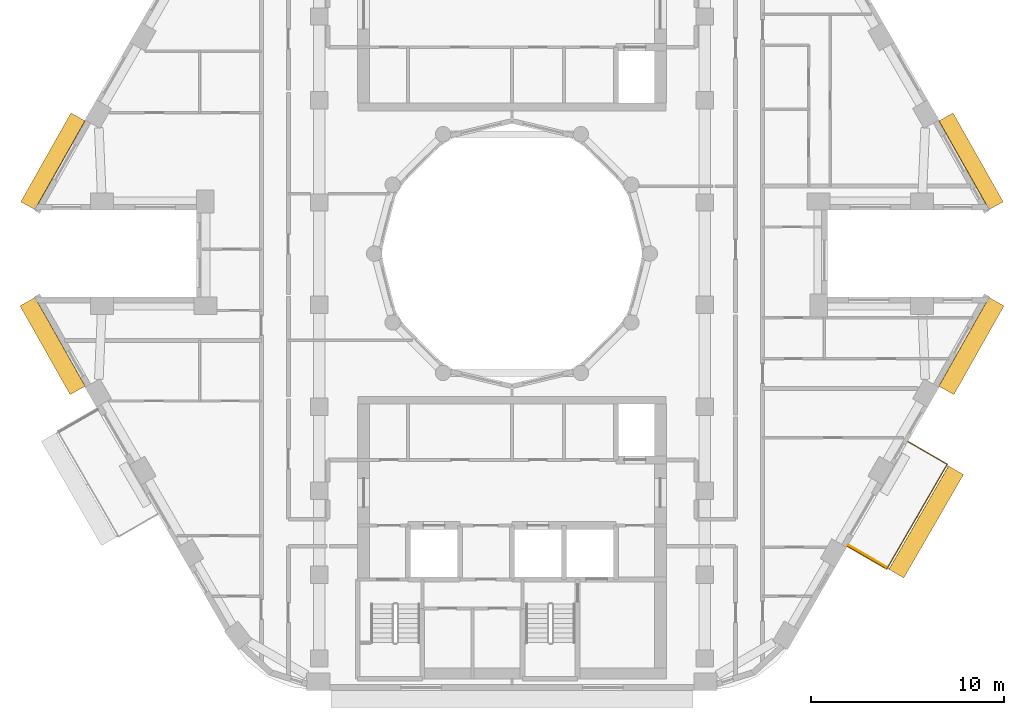
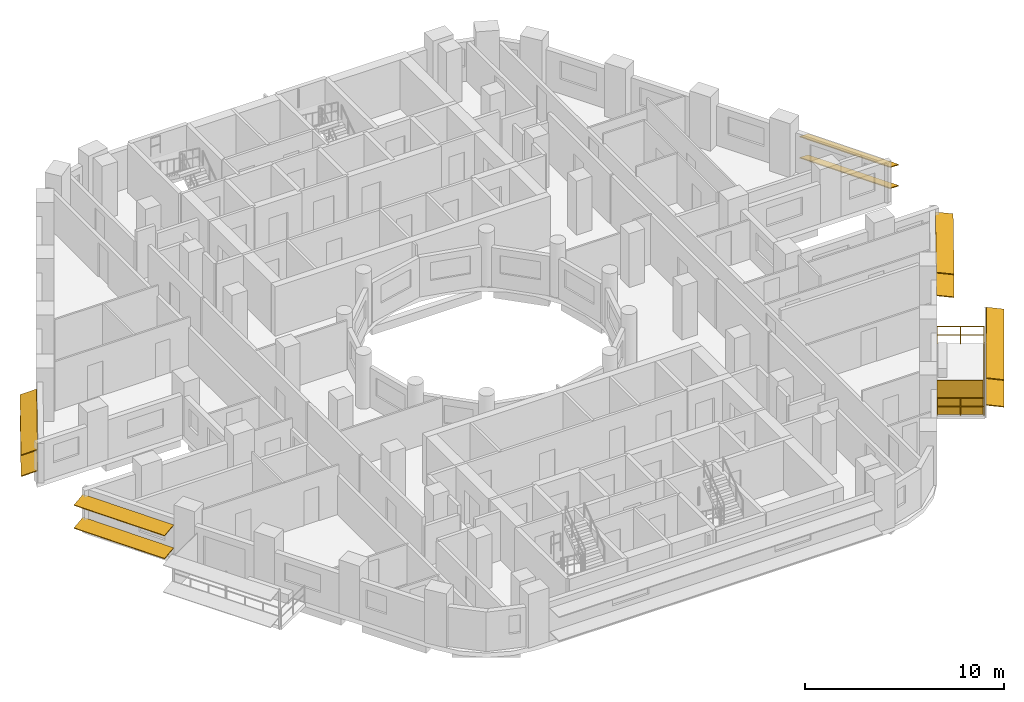
# One storey, part 15 of 16: 11 shading devices, 1 railing.
"""IFC4 building model written with IfcOpenShell, lengths in metres."""

from ifc_helpers import new_model, si_unit, direction, frame, origin, origin_2d, place, context, subcontext, project, spatial, rectangle, circle, extrude, material, layer, layer_set, material_profile, profile_set, type_object, element, save


model = new_model("IFC4")

# Units and contexts
model_context = context("Model", 3, precision=1e-05, world=origin(), true_north=direction((0.0, 1.0)))
body_context = subcontext(model_context, "Body", "Model", "MODEL_VIEW")
ifc_project = project(units=[si_unit("LENGTHUNIT", "METRE"), si_unit("AREAUNIT", "SQUARE_METRE"), si_unit("VOLUMEUNIT", "CUBIC_METRE"), si_unit("PLANEANGLEUNIT", "RADIAN"), si_unit("MASSUNIT", "GRAM", prefix="KILO")], contexts=[model_context])

# Site, building, storey
site_placement = place(None, origin())
site = spatial("IfcSite", under=ifc_project, at=site_placement, CompositionType="ELEMENT")
building_placement = place(site_placement, origin())
building = spatial("IfcBuilding", under=site, at=building_placement, Name="Nakaniwa Court", CompositionType="ELEMENT")
storey_placement = place(building_placement, frame((0.0, 0.0, 193.199951171875)))
storey = spatial("IfcBuildingStorey", under=building, at=storey_placement, Name="L50", CompositionType="ELEMENT", Elevation=193.199951171875)

# Railing
ifc_material_1 = material(Name="Black powder-coated steel flat bar balustrade S275", Category="steel")
railing_type = type_object("IfcRailingType", Name="Black metal balcony guard 1100", PredefinedType="GUARDRAIL", material=ifc_material_1)
railing_placement = place(storey_placement, frame((97.390869140625, 64.822021484375, -0.050048828125)))
element("IfcRailing", 1, at=railing_placement, inside=storey, type_object=railing_type, Name="L50 balcony guard 02", PredefinedType="GUARDRAIL", context=body_context, shape_type="SweptSolid", body=[
    extrude(circle(Radius=0.02392578125, at=origin_2d()), frame((0.0, 0.0, 1.076171875), z_axis=(0.866006432019, -0.500032858622, 0.0), x_axis=(0.500032858622, 0.866006432019, 0.0)), (0.0, 0.0, 1.0), 2.360107421875),
    extrude(circle(Radius=0.02392578125, at=origin_2d()), frame((0.0, 0.0, 0.550048828125), z_axis=(0.866006432019, -0.500032858622, 0.0), x_axis=(0.500032858622, 0.866006432019, 0.0)), (0.0, 0.0, 1.0), 2.360107421875),
    extrude(circle(Radius=0.02392578125, at=origin_2d()), frame((2.0439453125, -1.18017578125, 1.076171875), z_axis=(0.499990907215, 0.866030653443, 0.0), x_axis=(-0.866030653443, 0.499990907215, 0.0)), (0.0, 0.0, 1.0), 6.271484375),
    extrude(circle(Radius=0.02392578125, at=origin_2d()), frame((2.0439453125, -1.18017578125, 0.550048828125), z_axis=(0.499990907215, 0.866030653443, 0.0), x_axis=(-0.866030653443, 0.499990907215, 0.0)), (0.0, 0.0, 1.0), 6.271484375),
    extrude(circle(Radius=0.02392578125, at=origin_2d()), frame((5.1796875, 4.251220703125, 1.076171875), z_axis=(-0.865980564943, 0.500077655111, 0.0), x_axis=(-0.500077655111, -0.865980564943, 0.0)), (0.0, 0.0, 1.0), 2.35986328125),
    extrude(circle(Radius=0.02392578125, at=origin_2d()), frame((5.1796875, 4.251220703125, 0.550048828125), z_axis=(-0.865980564943, 0.500077655111, 0.0), x_axis=(-0.500077655111, -0.865980564943, 0.0)), (0.0, 0.0, 1.0), 2.35986328125),
    extrude(circle(Radius=0.02099609375, at=origin_2d()), origin(), (0.0, 0.0, 1.0), 1.052001953125),
    extrude(circle(Radius=0.02099609375, at=origin_2d()), frame((1.02197265625, -0.590087890625, 0.0)), (0.0, 0.0, 1.0), 1.052001953125),
    extrude(circle(Radius=0.02099609375, at=origin_2d()), frame((2.0439453125, -1.18017578125, 0.0)), (0.0, 0.0, 1.0), 1.052001953125),
    extrude(circle(Radius=0.02099609375, at=origin_2d()), frame((2.566650390625, -0.27490234375, 0.0)), (0.0, 0.0, 1.0), 1.052001953125),
    extrude(circle(Radius=0.02099609375, at=origin_2d()), frame((3.089111328125, 0.63037109375, 0.0)), (0.0, 0.0, 1.0), 1.052001953125),
    extrude(circle(Radius=0.02099609375, at=origin_2d()), frame((3.61181640625, 1.53564453125, 0.0)), (0.0, 0.0, 1.0), 1.052001953125),
    extrude(circle(Radius=0.02099609375, at=origin_2d()), frame((4.134521484375, 2.440673828125, 0.0)), (0.0, 0.0, 1.0), 1.052001953125),
    extrude(circle(Radius=0.02099609375, at=origin_2d()), frame((4.656982421875, 3.345947265625, 0.0)), (0.0, 0.0, 1.0), 1.052001953125),
    extrude(circle(Radius=0.02099609375, at=origin_2d()), frame((5.1796875, 4.251220703125, 0.0)), (0.0, 0.0, 1.0), 1.052001953125),
    extrude(circle(Radius=0.02099609375, at=origin_2d()), frame((4.15771484375, 4.84130859375, 0.0)), (0.0, 0.0, 1.0), 1.052001953125),
    extrude(circle(Radius=0.02099609375, at=origin_2d()), frame((3.135986328125, 5.431396484375, 0.0)), (0.0, 0.0, 1.0), 1.052001953125),
])

# Shading devices
ifc_material_2 = material(Name="Black powder-coated aluminium slat screen", Category="aluminium")
ifc_layer = layer(ifc_material_2, 0.0400390625)
ifc_layer_set = layer_set([ifc_layer], Name="Black powder-coated aluminium slat screen")
shading_device_type_1 = type_object("IfcShadingDeviceType", Name="Koshi screen black metal", PredefinedType="USERDEFINED", material=ifc_layer_set)
shading_device_placement = place(storey_placement, frame((98.43115234375, 64.313720703125, -0.050048828125), z_axis=(0.0, 0.0, 1.0), x_axis=(0.500016626402, 0.866015804314, 0.0)))
element("IfcShadingDevice", 2, at=shading_device_placement, inside=storey, type_object=shading_device_type_1, Name="L50 balcony SCREEN 02 W", ObjectType="KOSHI SCREEN", PredefinedType="USERDEFINED", context=body_context, shape_type="SweptSolid", body=[
    extrude(rectangle(XDim=0.0400390625, YDim=2.31005859375, at=origin_2d()), origin(), (0.0, 0.0, 1.0), 2.10009765625),
])
ifc_material_3 = material(Name="Perforated charcoal ceramic louvre blade")
ifc_material_profile = material_profile(ifc_material_3, rectangle(XDim=0.89990234375, YDim=0.050048828125, at=origin_2d()), Name="Perforated ceramic louvre blade")
ifc_profile_set = profile_set([ifc_material_profile], Name="Perforated charcoal ceramic louvre blade")
shading_device_type_2 = type_object("IfcShadingDeviceType", Name="Perforated ceramic louvre blade", PredefinedType="JALOUSIE", material=ifc_profile_set)
for number, where, z_axis, x_axis, name in (
    (3, (99.930419921875, 63.40185546875, 0.5), (0.500019400846, 0.866014202411, 0.0), (-0.858605330857, 0.495741665556, 0.13052619222), "L50 perforated ceramic louvre blade 02 1"),
    (4, (99.930419921875, 63.40185546875, 2.150146484375), (0.500019400846, 0.866014202411, 0.0), (-0.858605330857, 0.495741665556, 0.13052619222), "L50 perforated ceramic louvre blade 02 2"),
):
    element("IfcShadingDevice", number, at=place(storey_placement, frame(where, z_axis=z_axis, x_axis=x_axis)), inside=storey, type_object=shading_device_type_2, Name=name, PredefinedType="JALOUSIE", context=body_context, shape_type="SweptSolid", body=[
        extrude(rectangle(XDim=0.89990234375, YDim=0.050048828125, at=origin_2d()), origin(), (0.0, 0.0, 1.0), 6.191650390625),
    ])
for number, where, z_axis, x_axis, name in (
    (5, (105.103759765625, 82.480224609375, 0.550048828125), (-0.492005517921, 0.870592080331, 0.0), (-0.804902454764, -0.454881750109, 0.38107037635), "L50 perforated ceramic louvre blade w02 1"),
    (6, (105.103759765625, 82.480224609375, 1.845458984375), (-0.492005517921, 0.870592080331, 0.0), (-0.804902454764, -0.454881750109, 0.38107037635), "L50 perforated ceramic louvre blade w02 2"),
    (7, (57.497314453125, 87.082763671875, 0.550048828125), (-0.492005517921, -0.870592080331, 0.0), (0.804902454764, -0.454881750109, 0.38107037635), "L50 perforated ceramic louvre blade w14 1"),
    (8, (57.497314453125, 87.082763671875, 1.845458984375), (-0.492005517921, -0.870592080331, 0.0), (0.804902454764, -0.454881750109, 0.38107037635), "L50 perforated ceramic louvre blade w14 2"),
):
    element("IfcShadingDevice", number, at=place(storey_placement, frame(where, z_axis=z_axis, x_axis=x_axis)), inside=storey, type_object=shading_device_type_2, Name=name, PredefinedType="JALOUSIE", context=body_context, shape_type="SweptSolid", body=[
        extrude(rectangle(XDim=0.89990234375, YDim=0.050048828125, at=origin_2d()), origin(), (0.0, 0.0, 1.0), 5.28662109375),
    ])
for number, where, z_axis, x_axis, name in (
    (9, (54.87548828125, 77.508056640625, 0.550048828125), (0.492040518232, -0.870572299363, 0.0), (0.862924792041, 0.487718208105, 0.132256390257), "L50 perforated ceramic louvre blade w20 1"),
    (10, (54.87548828125, 77.508056640625, 1.955810546875), (0.492040518232, -0.870572299363, 0.0), (0.862924792041, 0.487718208105, 0.132256390257), "L50 perforated ceramic louvre blade w20 2"),
    (11, (102.523193359375, 72.905517578125, 0.550048828125), (0.492040518232, 0.870572299363, 0.0), (-0.862924792041, 0.487718208105, 0.132256390257), "L50 perforated ceramic louvre blade w32 1"),
    (12, (102.523193359375, 72.905517578125, 1.955810546875), (0.492040518232, 0.870572299363, 0.0), (-0.862924792041, 0.487718208105, 0.132256390257), "L50 perforated ceramic louvre blade w32 2"),
):
    element("IfcShadingDevice", number, at=place(storey_placement, frame(where, z_axis=z_axis, x_axis=x_axis)), inside=storey, type_object=shading_device_type_2, Name=name, PredefinedType="JALOUSIE", context=body_context, shape_type="SweptSolid", body=[
        extrude(rectangle(XDim=0.89990234375, YDim=0.050048828125, at=origin_2d()), origin(), (0.0, 0.0, 1.0), 5.286865234375),
    ])

save(model, "model.ifc")
